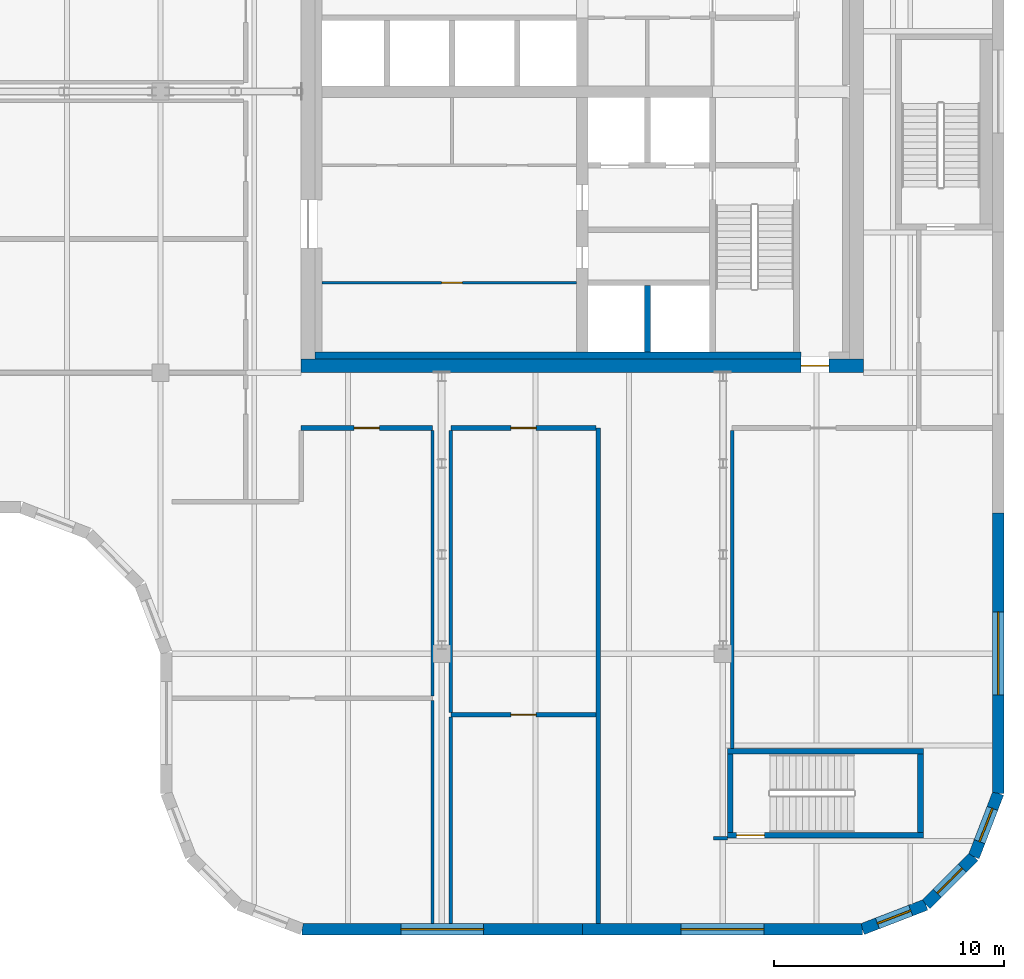
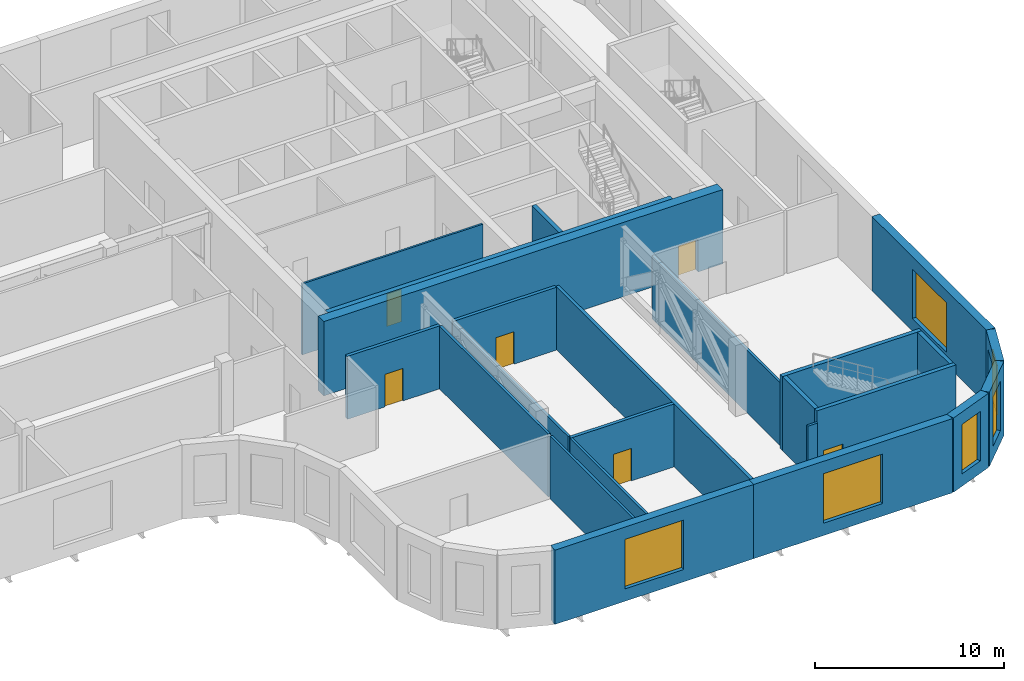
# One storey, part 6 of 12: 24 walls, 6 doors, 6 windows, 12 openings.
"""IFC4 building model written with IfcOpenShell, lengths in metres."""

import ifcopenshell
import ifcopenshell.guid

model = None  # the IFC model being written
_history = None  # IfcOwnerHistory: only IFC2X3 demands one
_inside = {}  # id of a spatial element -> (the spatial element, [elements in it])
_under = {}  # id of a project, library or spatial element -> (it, [spatial elements below it])
_declared = {}  # id of a project -> (the project, [libraries it declares])
_typed = {}  # id of a type object -> (the type object, [elements of that type])
_made_of = {}  # id of a material, layer set ... -> (it, [elements and type objects made of it])


def new_model(schema):
    """Start an empty IFC model of exactly this schema.

    Asked for "IFC4X3", IfcOpenShell would pick the latest addendum, in which some entities
    have other attributes; the version numbers below select the first issue.
    IFC2X3 requires an IfcOwnerHistory on every rooted entity: one is made here for all.
    """
    global model, _history
    if schema == "IFC4X3":
        model = ifcopenshell.file(schema_version=(4, 3, 0, 0))
    else:
        model = ifcopenshell.file(schema=schema)
    _inside.clear()
    _under.clear()
    _declared.clear()
    _typed.clear()
    _made_of.clear()
    _history = None
    if model.schema == "IFC2X3":
        org = make("IfcOrganization", Name="unknown")
        user = make(
            "IfcPersonAndOrganization",
            ThePerson=make("IfcPerson", FamilyName="unknown"),
            TheOrganization=org,
        )
        app = make(
            "IfcApplication",
            ApplicationDeveloper=org,
            Version="unknown",
            ApplicationFullName="unknown",
            ApplicationIdentifier="unknown",
        )
        _history = make(
            "IfcOwnerHistory",
            OwningUser=user,
            OwningApplication=app,
            ChangeAction="ADDED",
            CreationDate=0,
        )
    return model


def make(cls, **values):
    """One entity of the class cls with the attributes given. An attribute that is None is left unset."""
    return model.create_entity(
        cls, **{name: value for name, value in values.items() if value is not None}
    )


def rooted(cls, **values):
    """An entity with a GlobalId (a new one), such as an element, a storey or a relation."""
    return make(cls, GlobalId=ifcopenshell.guid.new(), OwnerHistory=_history, **values)


def si_unit(unit_type, name, prefix=None):
    """IfcSIUnit, for example si_unit("LENGTHUNIT", "METRE", prefix="MILLI")."""
    return make("IfcSIUnit", UnitType=unit_type, Prefix=prefix, Name=name)


def assignment(units):
    """IfcUnitAssignment: the units of a project."""
    return None if units is None else make("IfcUnitAssignment", Units=units)


def point(xyz):
    """IfcCartesianPoint."""
    return None if xyz is None else make("IfcCartesianPoint", Coordinates=xyz)


def direction(xyz):
    """IfcDirection."""
    return None if xyz is None else make("IfcDirection", DirectionRatios=xyz)


def frame(location, z_axis=None, x_axis=None):
    """IfcAxis2Placement3D, a coordinate frame: its origin and axes. An axis left out is left unset."""
    return make(
        "IfcAxis2Placement3D",
        Location=point(location),
        Axis=direction(z_axis),
        RefDirection=direction(x_axis),
    )


def frame_2d(location, x_axis=None):
    """IfcAxis2Placement2D, a coordinate frame in the plane: its origin and x axis."""
    return make(
        "IfcAxis2Placement2D", Location=point(location), RefDirection=direction(x_axis)
    )


def origin():
    """The frame at (0, 0, 0) with its axes left unset."""
    return frame((0.0, 0.0, 0.0))


def place(relative_to, where):
    """IfcLocalPlacement: puts the frame where relative to a parent placement (None: the world)."""
    return make(
        "IfcLocalPlacement", PlacementRelTo=relative_to, RelativePlacement=where
    )


def context(
    kind, dimensions, precision=None, world=None, true_north=None, identifier=None
):
    """IfcGeometricRepresentationContext, for example the 3D "Model" context."""
    return make(
        "IfcGeometricRepresentationContext",
        ContextIdentifier=identifier,
        ContextType=kind,
        CoordinateSpaceDimension=dimensions,
        Precision=precision,
        WorldCoordinateSystem=world,
        TrueNorth=true_north,
    )


def subcontext(parent, identifier, kind, view, scale=None):
    """IfcGeometricRepresentationSubContext, for example "Body" below "Model"."""
    return make(
        "IfcGeometricRepresentationSubContext",
        ContextIdentifier=identifier,
        ContextType=kind,
        ParentContext=parent,
        TargetScale=scale,
        TargetView=view,
    )


def project(units=None, contexts=None):
    """IfcProject with its units and contexts."""
    return rooted(
        "IfcProject",
        Name="project",
        RepresentationContexts=contexts,
        UnitsInContext=assignment(units),
    )


def spatial(cls, under=None, at=None, **own):
    """A site, building, storey or space (cls), placed at a placement, below another one or the project."""
    s = rooted(cls, ObjectPlacement=at, **own)
    if under is not None:
        _under.setdefault(under.id(), (under, []))[1].append(s)
    return s


def polyline(points):
    """IfcPolyline through the points."""
    return make("IfcPolyline", Points=[point(p) for p in points])


def profile(cls, at=None, kind="AREA", **sizes):
    """A parametric profile (cls). Its sizes go by their IFC names, for example OverallWidth=200.0."""
    return make(cls, ProfileType=kind, Position=at, **sizes)


def rectangle(**sizes):
    """IfcRectangleProfileDef."""
    return profile("IfcRectangleProfileDef", **sizes)


def outline(outer, holes=None, kind="AREA"):
    """IfcArbitraryClosedProfileDef: a profile drawn as a closed curve; with holes, ...WithVoids."""
    if holes is None:
        return make("IfcArbitraryClosedProfileDef", ProfileType=kind, OuterCurve=outer)
    return make(
        "IfcArbitraryProfileDefWithVoids",
        ProfileType=kind,
        OuterCurve=outer,
        InnerCurves=holes,
    )


def extrude(swept, where, along, depth):
    """IfcExtrudedAreaSolid: the profile swept, set in the frame where, extruded along a direction by depth."""
    return make(
        "IfcExtrudedAreaSolid",
        SweptArea=swept,
        Position=where,
        ExtrudedDirection=direction(along),
        Depth=depth,
    )


def faces_of(points, faces, orient=None, outer=None):
    """IfcFace entities. A face is a list of loops; a loop is a list of indices into points, from 0.

    orient and outer hold one flag for each loop. By default every Orientation is true, the
    first loop of a face is its IfcFaceOuterBound and the others are IfcFaceBound.
    """
    made = []
    for i, loops in enumerate(faces):
        bounds = []
        for j, loop in enumerate(loops):
            is_outer = j == 0 if outer is None else outer[i][j]
            bounds.append(
                make(
                    "IfcFaceOuterBound" if is_outer else "IfcFaceBound",
                    Bound=make("IfcPolyLoop", Polygon=[points[k] for k in loop]),
                    Orientation=True if orient is None else orient[i][j],
                )
            )
        made.append(make("IfcFace", Bounds=bounds))
    return made


def faceted_brep(points, faces, orient=None, outer=None, voids=None):
    """IfcFacetedBrep: a solid bounded by flat faces; with voids (closed shells), ...WithVoids."""
    shared = [point(p) for p in points]
    hull = make("IfcClosedShell", CfsFaces=faces_of(shared, faces, orient, outer))
    if voids is None:
        return make("IfcFacetedBrep", Outer=hull)
    return make(
        "IfcFacetedBrepWithVoids",
        Outer=hull,
        Voids=[
            make(cls, CfsFaces=faces_of(shared, fs, o, b)) for cls, fs, o, b in voids
        ],
    )


def shape(context_of_items, identifier, shape_type, items):
    """IfcShapeRepresentation: the items that make up one representation, for example the "Body"."""
    return make(
        "IfcShapeRepresentation",
        ContextOfItems=context_of_items,
        RepresentationIdentifier=identifier,
        RepresentationType=shape_type,
        Items=items,
    )


def source(mapping_origin, context_of_items, identifier, shape_type, items):
    """IfcRepresentationMap: a shape defined once, which mapped items show again and again."""
    return make(
        "IfcRepresentationMap",
        MappingOrigin=mapping_origin,
        MappedRepresentation=shape(context_of_items, identifier, shape_type, items),
    )


def transform(
    local_origin,
    x_axis=None,
    y_axis=None,
    z_axis=None,
    scale=None,
    scale2=None,
    scale3=None,
    uniform=True,
):
    """IfcCartesianTransformationOperator3D, or its non-uniform kind. x_axis, y_axis, z_axis: its Axis1, 2, 3."""
    if uniform:
        return make(
            "IfcCartesianTransformationOperator3D",
            Axis1=direction(x_axis),
            Axis2=direction(y_axis),
            LocalOrigin=point(local_origin),
            Scale=scale,
            Axis3=direction(z_axis),
        )
    return make(
        "IfcCartesianTransformationOperator3DnonUniform",
        Axis1=direction(x_axis),
        Axis2=direction(y_axis),
        LocalOrigin=point(local_origin),
        Scale=scale,
        Axis3=direction(z_axis),
        Scale2=scale2,
        Scale3=scale3,
    )


def mapped(mapping_source, mapping_target):
    """IfcMappedItem: shows the shape of a source again, moved by a transform."""
    return make(
        "IfcMappedItem", MappingSource=mapping_source, MappingTarget=mapping_target
    )


def material(Name=None, Category=None):
    """IfcMaterial."""
    return make("IfcMaterial", Name=Name, Category=Category)


def layer(
    of_material, thickness, ventilated=None, Name=None, Category=None, Priority=None
):
    """IfcMaterialLayer: one layer of a wall or slab, of a material (None: an air gap)."""
    return make(
        "IfcMaterialLayer",
        Material=of_material,
        LayerThickness=thickness,
        IsVentilated=ventilated,
        Name=Name,
        Category=Category,
        Priority=Priority,
    )


def layer_set(layers, Name=None):
    """IfcMaterialLayerSet."""
    return make("IfcMaterialLayerSet", MaterialLayers=layers, LayerSetName=Name)


def made_of(thing, what):
    """Note that an element or type object is made of a material, layer set ...; save() writes the relation."""
    if what is not None:
        _made_of.setdefault(what.id(), (what, []))[1].append(thing)
    return thing


def type_object(cls, material=None, **own):
    """A type object (cls), such as IfcWallType, which elements share."""
    return made_of(rooted(cls, **own), material)


def element(
    cls,
    number,
    at=None,
    inside=None,
    cuts=None,
    type_object=None,
    material=None,
    context=None,
    identifier="Body",
    shape_type=None,
    held_by="IfcProductDefinitionShape",
    body=None,
    shapes=None,
    **own,
):
    """One element of the class cls, such as IfcWall. Its Tag is "e" and its number.

    at: its placement. inside: the storey or other place that contains it. cuts: it is an
    opening in that element (IfcRelVoidsElement). A single representation is given by context,
    identifier, shape_type and body (its items); several are given by shapes. held_by: the class
    of the entity that holds the representations. save() writes the other relations.
    """
    e = rooted(cls, Tag="e%d" % number, ObjectPlacement=at, **own)
    if body is not None:
        shapes = [shape(context, identifier, shape_type, body)]
    if shapes is not None:
        e.Representation = make(held_by, Representations=shapes)
    if inside is not None:
        _inside.setdefault(inside.id(), (inside, []))[1].append(e)
    if cuts is not None:
        rooted(
            "IfcRelVoidsElement", RelatingBuildingElement=cuts, RelatedOpeningElement=e
        )
    if type_object is not None:
        _typed.setdefault(type_object.id(), (type_object, []))[1].append(e)
    return made_of(e, material)


def fill(opening, filler):
    """IfcRelFillsElement: the door or window that sits in an opening."""
    return rooted(
        "IfcRelFillsElement",
        RelatingOpeningElement=opening,
        RelatedBuildingElement=filler,
    )


def aggregate(whole, parts):
    """IfcRelAggregates: a whole, such as a stair, and the parts it consists of."""
    return rooted("IfcRelAggregates", RelatingObject=whole, RelatedObjects=parts)


def save(model, path):
    """Write the relations noted so far, then the file.

    IfcRelAggregates (storeys below a building ...), IfcRelContainedInSpatialStructure (elements
    in a storey), IfcRelDefinesByType, IfcRelAssociatesMaterial and IfcRelDeclares: one each for
    every whole, place, type object, material and project.
    """
    for whole, parts in _under.values():
        aggregate(whole, parts)
    for where, things in _inside.values():
        rooted(
            "IfcRelContainedInSpatialStructure",
            RelatedElements=things,
            RelatingStructure=where,
        )
    for kind, things in _typed.values():
        rooted("IfcRelDefinesByType", RelatedObjects=things, RelatingType=kind)
    for what, things in _made_of.values():
        rooted("IfcRelAssociatesMaterial", RelatedObjects=things, RelatingMaterial=what)
    for by, libraries in _declared.values():
        rooted("IfcRelDeclares", RelatingContext=by, RelatedDefinitions=libraries)
    model.write(path)


model = new_model("IFC4")

# Units and contexts
model_context = context("Model", 3, precision=1e-05, world=origin(), true_north=direction((0.0, 1.0)))
body_context = subcontext(model_context, "Body", "Model", "MODEL_VIEW")
ifc_project = project(units=[si_unit("LENGTHUNIT", "METRE"), si_unit("AREAUNIT", "SQUARE_METRE"), si_unit("VOLUMEUNIT", "CUBIC_METRE"), si_unit("PLANEANGLEUNIT", "RADIAN"), si_unit("MASSUNIT", "GRAM", prefix="KILO")], contexts=[model_context])

# Site, building, storey
site_placement = place(None, origin())
site = spatial("IfcSite", under=ifc_project, at=site_placement, CompositionType="ELEMENT")
building_placement = place(site_placement, origin())
building = spatial("IfcBuilding", under=site, at=building_placement, Name="Tessera Gate Towers", CompositionType="ELEMENT")
storey_placement = place(building_placement, frame((0.0, 0.0, 150.60009765625)))
storey = spatial("IfcBuildingStorey", under=building, at=storey_placement, Name="L37", CompositionType="ELEMENT", Elevation=150.60009765625)

# Walls
ifc_material_1 = material(Name="Gypsum board on steel studs, mineral wool", Category="steel")
ifc_layer_1 = layer(ifc_material_1, 0.14990234375)
ifc_layer_set_1 = layer_set([ifc_layer_1], Name="CHASE WALL 150")
wall_type_1 = type_object("IfcWallType", Name="CHASE WALL 150", PredefinedType="PARTITIONING", material=ifc_layer_set_1)
wall_1_placement = place(storey_placement, frame((36.199951171875, 0.5, 0.0), z_axis=(0.0, 0.0, 1.0), x_axis=(0.0, 1.0, 0.0)))
element("IfcWall", 1, at=wall_1_placement, inside=storey, type_object=wall_type_1, Name="T1-L37-PW-001", PredefinedType="PARTITIONING", context=body_context, shape_type="SweptSolid", body=[
    extrude(rectangle(XDim=9.674072265625, YDim=0.14990234375, at=frame_2d((4.8369140625, 0.0))), origin(), (0.0, 0.0, 1.0), 4.06689453125),
])
wall_2_placement = place(storey_placement, frame((37.0, 0.5, 0.0), z_axis=(0.0, 0.0, 1.0), x_axis=(0.0, 1.0, 0.0)))
element("IfcWall", 2, at=wall_2_placement, inside=storey, type_object=wall_type_1, Name="T1-L37-PW-002", PredefinedType="PARTITIONING", context=body_context, shape_type="SweptSolid", body=[
    extrude(rectangle(XDim=8.948974609375, YDim=0.14990234375, at=frame_2d((4.474609375, 0.0))), origin(), (0.0, 0.0, 1.0), 4.06689453125),
])
wall_3_placement = place(storey_placement, frame((48.39990234375, 4.199951171875, 0.0), z_axis=(0.0, 0.0, 1.0), x_axis=(1.0, 0.0, 0.0)))
element("IfcWall", 3, at=wall_3_placement, inside=storey, type_object=wall_type_1, Name="T1-L37-PW-004", PredefinedType="PARTITIONING", context=body_context, shape_type="SweptSolid", body=[
    extrude(rectangle(XDim=0.60009765625, YDim=0.14990234375, at=frame_2d((0.300048828125, 0.0))), origin(), (0.0, 0.0, 1.0), 4.06689453125),
])
wall_4_placement = place(storey_placement, frame((49.199951171875, 8.10009765625, 0.0), z_axis=(0.0, 0.0, 1.0), x_axis=(0.0, 1.0, 0.0)))
element("IfcWall", 4, at=wall_4_placement, inside=storey, type_object=wall_type_1, Name="T1-L37-PW-005", PredefinedType="PARTITIONING", context=body_context, shape_type="SweptSolid", body=[
    extrude(rectangle(XDim=13.798828125, YDim=0.14990234375, at=frame_2d((6.8994140625, 0.0))), origin(), (0.0, 0.0, 1.0), 4.06689453125),
])
wall_5_placement = place(storey_placement, frame((37.0, 9.65087890625, 0.0), z_axis=(0.0, 0.0, 1.0), x_axis=(0.0, 1.0, 0.0)))
element("IfcWall", 5, at=wall_5_placement, inside=storey, type_object=wall_type_1, Name="T1-L37-PW-007", PredefinedType="PARTITIONING", context=body_context, shape_type="SweptSolid", body=[
    extrude(rectangle(XDim=12.248046875, YDim=0.14990234375, at=frame_2d((6.1240234375, 0.0))), origin(), (0.0, 0.0, 1.0), 4.06689453125),
])
wall_6_placement = place(storey_placement, frame((36.199951171875, 10.3759765625, 0.0), z_axis=(0.0, 0.0, 1.0), x_axis=(0.0, 1.0, 0.0)))
element("IfcWall", 6, at=wall_6_placement, inside=storey, type_object=wall_type_1, Name="T1-L37-PW-009", PredefinedType="PARTITIONING", context=body_context, shape_type="SweptSolid", body=[
    extrude(rectangle(XDim=11.52294921875, YDim=0.14990234375, at=frame_2d((5.761474609375, 0.0))), origin(), (0.0, 0.0, 1.0), 4.06689453125),
])
ifc_material_2 = material(Name="Concrete C40/50", Category="concrete")
ifc_layer_2 = layer(ifc_material_2, 0.25)
ifc_layer_set_2 = layer_set([ifc_layer_2], Name="CORE ENCLOSURE WALL 250")
wall_type_2 = type_object("IfcWallType", Name="CORE ENCLOSURE WALL 250", PredefinedType="SOLIDWALL", material=ifc_layer_set_2)
wall_7_placement = place(storey_placement, frame((45.52490234375, 25.300048828125, 0.0), z_axis=(0.0, 0.0, 1.0), x_axis=(0.0, 1.0, 0.0)))
element("IfcWall", 7, at=wall_7_placement, inside=storey, type_object=wall_type_2, Name="L37 shaft and stair enclosure wall", PredefinedType="SOLIDWALL", context=body_context, shape_type="SweptSolid", body=[
    extrude(rectangle(XDim=2.875, YDim=0.25, at=frame_2d((1.4375, 0.0))), origin(), (0.0, 0.0, 1.0), 4.7998046875),
])

# Wall, opening, door
wall_8_placement = place(storey_placement, frame((57.5, 4.324951171875, 0.0), z_axis=(0.0, 0.0, 1.0), x_axis=(-1.0, 0.0, 0.0)))
wall_8 = element("IfcWall", 8, at=wall_8_placement, inside=storey, type_object=wall_type_2, Name="L37 ST4 enclosure wall", PredefinedType="SOLIDWALL", context=body_context, shape_type="SweptSolid", body=[
    extrude(rectangle(XDim=8.5, YDim=0.25, at=frame_2d((4.25, 0.0))), origin(), (0.0, 0.0, 1.0), 4.7998046875),
])
shared_shape_1 = source(origin(), body_context, "Body", "SweptSolid", [
    extrude(rectangle(XDim=1.199951171875, YDim=2.10009765625, at=frame_2d((0.60009765625, 1.050048828125))), frame((0.0, 0.135009765625, 0.0), z_axis=(0.0, -1.0, 0.0), x_axis=(1.0, 0.0, 0.0)), (0.0, 0.0, 1.0), 0.27001953125),
])
opening_1_placement = place(wall_8_placement, frame((6.89990234375, 0.0, 0.0)))
opening_1 = element("IfcOpeningElement", 9, at=opening_1_placement, cuts=wall_8, Name="Opening SD-ST4-1", PredefinedType="OPENING", context=body_context, shape_type="MappedRepresentation", body=[
    mapped(shared_shape_1, transform((0.0, 0.0, 0.0), scale=1.0)),
])
ifc_material_3 = material(Name="Hollow steel fire door", Category="steel")
door_type_1 = type_object("IfcDoorType", Name="CORE DOOR SD 1200x2100", OperationType="NOTDEFINED", PredefinedType="DOOR", material=ifc_material_3)
shared_shape_2 = source(origin(), body_context, "Body", "SweptSolid", [
    extrude(rectangle(XDim=1.199951171875, YDim=2.10009765625, at=frame_2d((0.60009765625, 1.050048828125))), frame((0.0, 0.02490234375, 0.0), z_axis=(0.0, -1.0, 0.0), x_axis=(1.0, 0.0, 0.0)), (0.0, 0.0, 1.0), 0.050048828125),
])
door_1_placement = place(opening_1_placement, origin())
door_1 = element("IfcDoor", 10, at=door_1_placement, inside=storey, type_object=door_type_1, Name="Stair door", OperationType="SINGLE_SWING_RIGHT", OverallHeight=2.10009765625, OverallWidth=1.199951171875, PredefinedType="DOOR", context=body_context, shape_type="MappedRepresentation", body=[
    mapped(shared_shape_2, transform((0.0, 0.0, 0.0), scale=1.0)),
])
fill(opening_1, door_1)

# Walls
wall_9_placement = place(storey_placement, frame((49.125, 4.449951171875, 0.0), z_axis=(0.0, 0.0, 1.0), x_axis=(0.0, 1.0, 0.0)))
element("IfcWall", 11, at=wall_9_placement, inside=storey, type_object=wall_type_2, Name="L37 ST4 enclosure wall", PredefinedType="SOLIDWALL", context=body_context, shape_type="SweptSolid", body=[
    extrude(rectangle(XDim=3.400146484375, YDim=0.25, at=frame_2d((1.7001953125, 0.0))), origin(), (0.0, 0.0, 1.0), 4.7998046875),
])
wall_10_placement = place(storey_placement, frame((49.0, 7.97509765625, 0.0), z_axis=(0.0, 0.0, 1.0), x_axis=(1.0, 0.0, 0.0)))
element("IfcWall", 12, at=wall_10_placement, inside=storey, type_object=wall_type_2, Name="L37 ST4 enclosure wall", PredefinedType="SOLIDWALL", context=body_context, shape_type="SweptSolid", body=[
    extrude(rectangle(XDim=8.5, YDim=0.25, at=frame_2d((4.25, 0.0))), origin(), (0.0, 0.0, 1.0), 4.7998046875),
])
wall_11_placement = place(storey_placement, frame((57.375, 7.85009765625, 0.0), z_axis=(0.0, 0.0, 1.0), x_axis=(0.0, -1.0, 0.0)))
element("IfcWall", 13, at=wall_11_placement, inside=storey, type_object=wall_type_2, Name="L37 ST4 enclosure wall", PredefinedType="SOLIDWALL", context=body_context, shape_type="SweptSolid", body=[
    extrude(rectangle(XDim=3.400146484375, YDim=0.25, at=frame_2d((1.7001953125, 0.0))), origin(), (0.0, 0.0, 1.0), 4.7998046875),
])

# Wall, opening, door
ifc_material_4 = material(Name="Gypsum board on steel studs", Category="steel")
ifc_layer_3 = layer(ifc_material_4, 0.1201171875)
ifc_layer_set_3 = layer_set([ifc_layer_3], Name="CORE PARTITION 120")
wall_type_3 = type_object("IfcWallType", Name="CORE PARTITION 120", PredefinedType="PARTITIONING", material=ifc_layer_set_3)
wall_12_placement = place(storey_placement, frame((42.449951171875, 28.300048828125, 0.0), z_axis=(0.0, 0.0, 1.0), x_axis=(-1.0, 0.0, 0.0)))
wall_12 = element("IfcWall", 14, at=wall_12_placement, inside=storey, type_object=wall_type_3, Name="L37 core partition", PredefinedType="PARTITIONING", context=body_context, shape_type="SweptSolid", body=[
    extrude(rectangle(XDim=11.050048828125, YDim=0.1201171875, at=frame_2d((5.52490234375, 0.0))), origin(), (0.0, 0.0, 1.0), 4.599853515625),
])
shared_shape_3 = source(origin(), body_context, "Body", "SweptSolid", [
    extrude(rectangle(XDim=0.89990234375, YDim=2.10009765625, at=frame_2d((0.449951171875, 1.050048828125))), frame((0.0, 0.070068359375, 0.0), z_axis=(0.0, -1.0, 0.0), x_axis=(1.0, 0.0, 0.0)), (0.0, 0.0, 1.0), 0.14013671875),
])
opening_2_placement = place(wall_12_placement, frame((4.949951171875, 0.0, 0.0)))
opening_2 = element("IfcOpeningElement", 15, at=opening_2_placement, cuts=wall_12, Name="Opening RD-T1-24-07", PredefinedType="OPENING", context=body_context, shape_type="MappedRepresentation", body=[
    mapped(shared_shape_3, transform((0.0, 0.0, 0.0), scale=1.0)),
])
ifc_material_5 = material(Name="Hollow steel fire door", Category="steel")
door_type_2 = type_object("IfcDoorType", Name="CORE DOOR RD 900x2100", OperationType="NOTDEFINED", PredefinedType="DOOR", material=ifc_material_5)
shared_shape_4 = source(origin(), body_context, "Body", "SweptSolid", [
    extrude(rectangle(XDim=0.89990234375, YDim=2.10009765625, at=frame_2d((0.449951171875, 1.050048828125))), frame((0.0, 0.02490234375, 0.0), z_axis=(0.0, -1.0, 0.0), x_axis=(1.0, 0.0, 0.0)), (0.0, 0.0, 1.0), 0.050048828125),
])
door_2_placement = place(opening_2_placement, origin())
door_2 = element("IfcDoor", 16, at=door_2_placement, inside=storey, type_object=door_type_2, Name="Core room door", OperationType="SINGLE_SWING_LEFT", OverallHeight=2.10009765625, OverallWidth=0.89990234375, PredefinedType="DOOR", context=body_context, shape_type="MappedRepresentation", body=[
    mapped(shared_shape_4, transform((0.0, 0.0, 0.0), scale=1.0)),
])
fill(opening_2, door_2)

ifc_material_6 = material(Name="Concrete C50/60", Category="concrete")
ifc_layer_4 = layer(ifc_material_6, 0.60009765625)
ifc_layer_set_4 = layer_set([ifc_layer_4], Name="CORE SHEAR WALL 600 C50/60")
wall_type_4 = type_object("IfcWallType", Name="CORE SHEAR WALL 600 C50/60", PredefinedType="SHEAR", material=ifc_layer_set_4)
wall_13_placement = place(storey_placement, frame((54.89990234375, 24.699951171875, 0.0), z_axis=(0.0, 0.0, 1.0), x_axis=(-1.0, 0.0, 0.0)))
wall_13 = element("IfcWall", 17, at=wall_13_placement, inside=storey, type_object=wall_type_4, Name="Core wall S L37", PredefinedType="SHEAR", context=body_context, shape_type="SweptSolid", body=[
    extrude(rectangle(XDim=24.39990234375, YDim=0.60009765625, at=frame_2d((12.199951171875, 0.0))), origin(), (0.0, 0.0, 1.0), 4.7998046875),
])
shared_shape_5 = source(origin(), body_context, "Body", "SweptSolid", [
    extrude(rectangle(XDim=1.199951171875, YDim=2.10009765625, at=frame_2d((0.60009765625, 1.050048828125))), frame((0.0, 0.31005859375, 0.0), z_axis=(0.0, -1.0, 0.0), x_axis=(1.0, 0.0, 0.0)), (0.0, 0.0, 1.0), 0.6201171875),
])
opening_3_placement = place(wall_13_placement, frame((1.5, 0.0, 0.0)))
opening_3 = element("IfcOpeningElement", 18, at=opening_3_placement, cuts=wall_13, Name="Opening ED-T1-24-01", PredefinedType="OPENING", context=body_context, shape_type="MappedRepresentation", body=[
    mapped(shared_shape_5, transform((0.0, 0.0, 0.0), scale=1.0)),
])
ifc_material_7 = material(Name="Hollow steel fire door", Category="steel")
door_type_3 = type_object("IfcDoorType", Name="CORE DOOR ED 1200x2100", OperationType="NOTDEFINED", PredefinedType="DOOR", material=ifc_material_7)
door_3_placement = place(opening_3_placement, origin())
door_3 = element("IfcDoor", 19, at=door_3_placement, inside=storey, type_object=door_type_3, Name="Core exit door", OperationType="SINGLE_SWING_LEFT", OverallHeight=2.10009765625, OverallWidth=1.199951171875, PredefinedType="DOOR", context=body_context, shape_type="MappedRepresentation", body=[
    mapped(shared_shape_2, transform((0.0, 0.0, 0.0), scale=1.0)),
])
fill(opening_3, door_3)

# Walls
ifc_material_8 = material(Name="Concrete C50/60", Category="concrete")
ifc_layer_5 = layer(ifc_material_8, 0.300048828125)
ifc_layer_set_5 = layer_set([ifc_layer_5], Name="CORE WALL THICKENING 300")
wall_type_5 = type_object("IfcWallType", Name="CORE WALL THICKENING 300", PredefinedType="SOLIDWALL", material=ifc_layer_set_5)
wall_14_placement = place(storey_placement, frame((31.10009765625, 25.14990234375, 0.0), z_axis=(0.0, 0.0, 1.0), x_axis=(1.0, 0.0, 0.0)))
element("IfcWall", 20, at=wall_14_placement, inside=storey, type_object=wall_type_5, Name="Core wall thickening S L37", PredefinedType="SOLIDWALL", context=body_context, shape_type="SweptSolid", body=[
    extrude(rectangle(XDim=21.099853515625, YDim=0.300048828125, at=frame_2d((10.5498046875, 0.0))), origin(), (0.0, 0.0, 1.0), 4.7998046875),
])
ifc_material_9 = material(Name="Concrete masonry unit", Category="masonry")
ifc_layer_6 = layer(ifc_material_9, 0.199951171875)
ifc_layer_set_6 = layer_set([ifc_layer_6], Name="PLANT WALL 200")
wall_type_6 = type_object("IfcWallType", Name="PLANT WALL 200", PredefinedType="PARTITIONING", material=ifc_layer_set_6)
wall_15_placement = place(storey_placement, frame((43.39990234375, 0.5, 0.0), z_axis=(0.0, 0.0, 1.0), x_axis=(0.0, 1.0, 0.0)))
element("IfcWall", 21, at=wall_15_placement, inside=storey, type_object=wall_type_6, Name="T1-L37-PW-003", PredefinedType="PARTITIONING", context=body_context, shape_type="SweptSolid", body=[
    extrude(rectangle(XDim=21.5, YDim=0.199951171875, at=frame_2d((10.75, 0.0))), origin(), (0.0, 0.0, 1.0), 4.06689453125),
])

# Wall, opening, door
wall_16_placement = place(storey_placement, frame((43.299072265625, 9.550048828125, 0.0), z_axis=(0.0, 0.0, 1.0), x_axis=(-1.0, 0.0, 0.0)))
wall_16 = element("IfcWall", 22, at=wall_16_placement, inside=storey, type_object=wall_type_6, Name="T1-L37-PW-006", PredefinedType="PARTITIONING", context=body_context, shape_type="SweptSolid", body=[
    extrude(rectangle(XDim=6.299072265625, YDim=0.199951171875, at=frame_2d((3.1494140625, 0.0))), origin(), (0.0, 0.0, 1.0), 4.06689453125),
])
shared_shape_6 = source(origin(), body_context, "Body", "SweptSolid", [
    extrude(rectangle(XDim=1.10009765625, YDim=2.10009765625, at=frame_2d((0.550048828125, 1.050048828125))), frame((0.0, 0.10986328125, 0.0), z_axis=(0.0, -1.0, 0.0), x_axis=(1.0, 0.0, 0.0)), (0.0, 0.0, 1.0), 0.219970703125),
])
opening_4_placement = place(wall_16_placement, frame((2.59912109375, 0.0, 0.0)))
opening_4 = element("IfcOpeningElement", 23, at=opening_4_placement, cuts=wall_16, Name="Opening D5110FD90-A31-14", PredefinedType="OPENING", context=body_context, shape_type="MappedRepresentation", body=[
    mapped(shared_shape_6, transform((0.0, 0.0, 0.0), scale=1.0)),
])
ifc_material_10 = material(Name="Timber door leaf in steel frame", Category="steel")
door_type_4 = type_object("IfcDoorType", Name="PLANT DOOR 1100 FD90", OperationType="NOTDEFINED", PredefinedType="DOOR", material=ifc_material_10)
shared_shape_7 = source(origin(), body_context, "Body", "SweptSolid", [
    extrude(rectangle(XDim=1.10009765625, YDim=2.10009765625, at=frame_2d((0.550048828125, 1.050048828125))), frame((0.0, 0.02490234375, 0.0), z_axis=(0.0, -1.0, 0.0), x_axis=(1.0, 0.0, 0.0)), (0.0, 0.0, 1.0), 0.050048828125),
])
door_4_placement = place(opening_4_placement, origin())
door_4 = element("IfcDoor", 24, at=door_4_placement, inside=storey, type_object=door_type_4, Name="T1-L37-PD-014", OperationType="SINGLE_SWING_RIGHT", OverallHeight=2.10009765625, OverallWidth=1.10009765625, PredefinedType="DOOR", context=body_context, shape_type="MappedRepresentation", body=[
    mapped(shared_shape_7, transform((0.0, 0.0, 0.0), scale=1.0)),
])
fill(opening_4, door_4)

wall_17_placement = place(storey_placement, frame((36.199951171875, 22.0, 0.0), z_axis=(0.0, 0.0, 1.0), x_axis=(-1.0, 0.0, 0.0)))
wall_17 = element("IfcWall", 25, at=wall_17_placement, inside=storey, type_object=wall_type_6, Name="T1-L37-PW-014", PredefinedType="PARTITIONING", context=body_context, shape_type="SweptSolid", body=[
    extrude(rectangle(XDim=5.699951171875, YDim=0.199951171875, at=frame_2d((2.85009765625, 0.0))), origin(), (0.0, 0.0, 1.0), 4.06689453125),
])
opening_5_placement = place(wall_17_placement, frame((2.300048828125, 0.0, 0.0)))
opening_5 = element("IfcOpeningElement", 26, at=opening_5_placement, cuts=wall_17, Name="Opening D5110FD90-A31-06", PredefinedType="OPENING", context=body_context, shape_type="MappedRepresentation", body=[
    mapped(shared_shape_6, transform((0.0, 0.0, 0.0), scale=1.0)),
])
door_5_placement = place(opening_5_placement, origin())
door_5 = element("IfcDoor", 27, at=door_5_placement, inside=storey, type_object=door_type_4, Name="T1-L37-PD-006", OperationType="SINGLE_SWING_RIGHT", OverallHeight=2.10009765625, OverallWidth=1.10009765625, PredefinedType="DOOR", context=body_context, shape_type="MappedRepresentation", body=[
    mapped(shared_shape_7, transform((0.0, 0.0, 0.0), scale=1.0)),
])
fill(opening_5, door_5)

wall_18_placement = place(storey_placement, frame((43.299072265625, 22.0, 0.0), z_axis=(0.0, 0.0, 1.0), x_axis=(-1.0, 0.0, 0.0)))
wall_18 = element("IfcWall", 28, at=wall_18_placement, inside=storey, type_object=wall_type_6, Name="T1-L37-PW-015", PredefinedType="PARTITIONING", context=body_context, shape_type="SweptSolid", body=[
    extrude(rectangle(XDim=6.299072265625, YDim=0.199951171875, at=frame_2d((3.1494140625, 0.0))), origin(), (0.0, 0.0, 1.0), 4.06689453125),
])
opening_6_placement = place(wall_18_placement, frame((2.59912109375, 0.0, 0.0)))
opening_6 = element("IfcOpeningElement", 29, at=opening_6_placement, cuts=wall_18, Name="Opening D5110FD90-A31-13", PredefinedType="OPENING", context=body_context, shape_type="MappedRepresentation", body=[
    mapped(shared_shape_6, transform((0.0, 0.0, 0.0), scale=1.0)),
])
door_6_placement = place(opening_6_placement, origin())
door_6 = element("IfcDoor", 30, at=door_6_placement, inside=storey, type_object=door_type_4, Name="T1-L37-PD-013", OperationType="SINGLE_SWING_RIGHT", OverallHeight=2.10009765625, OverallWidth=1.10009765625, PredefinedType="DOOR", context=body_context, shape_type="MappedRepresentation", body=[
    mapped(shared_shape_7, transform((0.0, 0.0, 0.0), scale=1.0)),
])
fill(opening_6, door_6)

# Wall, opening, window
ifc_material_11 = material(Name="Precast concrete C60/75 white", Category="concrete")
ifc_layer_7 = layer(ifc_material_11, 0.5)
ifc_layer_set_7 = layer_set([ifc_layer_7], Name="RB1 ring band panel")
wall_type_7 = type_object("IfcWallType", Name="RB1 ring band panel", PredefinedType="SOLIDWALL", material=ifc_layer_set_7)
shared_shape_8 = source(origin(), body_context, "Body", "Brep", [
    faceted_brep([(0.0, -0.25, 0.0), (12.153564453125, -0.25, 0.0), (12.153564453125, -0.25, 4.7998046875), (0.0, -0.25, 4.7998046875), (0.046630859375, 0.25, 4.7998046875), (12.153564453125, 0.25, 4.7998046875), (12.153564453125, 0.25, 0.0), (0.046630859375, 0.25, 0.0), (0.0, 0.0, 0.0), (0.0, 0.0, 4.7998046875)], [[[0, 1, 2, 3]], [[4, 5, 6, 7]], [[7, 6, 1, 0, 8]], [[5, 4, 9, 3, 2]], [[8, 0, 3, 9]], [[7, 8, 9, 4]], [[1, 6, 5, 2]]]),
])
wall_19_placement = place(storey_placement, frame((30.546630859375, 0.25, 0.0), z_axis=(0.0, 0.0, 1.0), x_axis=(1.0, 0.0, 0.0)))
wall_19 = element("IfcWall", 31, at=wall_19_placement, inside=storey, type_object=wall_type_7, Name="Ring band panel T1 RB1-0033", PredefinedType="SOLIDWALL", context=body_context, shape_type="MappedRepresentation", body=[
    mapped(shared_shape_8, transform((0.0, 0.0, 0.0), scale=1.0)),
])
shared_shape_9 = source(origin(), body_context, "Body", "SweptSolid", [
    extrude(outline(polyline([(4.276611328125, 0.7998046875), (7.876708984375, 0.7998046875), (7.876708984375, 4.0), (4.276611328125, 4.0), (4.276611328125, 0.7998046875)])), frame((0.0, 0.260009765625, 0.0), z_axis=(0.0, -1.0, 0.0), x_axis=(1.0, 0.0, 0.0)), (0.0, 0.0, 1.0), 0.52001953125),
])
opening_7_placement = place(wall_19_placement, origin())
opening_7 = element("IfcOpeningElement", 32, at=opening_7_placement, cuts=wall_19, Name="Opening T1-WN-LV1-0033", PredefinedType="OPENING", context=body_context, shape_type="MappedRepresentation", body=[
    mapped(shared_shape_9, transform((0.0, 0.0, 0.0), scale=1.0)),
])
ifc_material_12 = material(Name="Aluminium louvre", Category="aluminium")
ifc_layer_8 = layer(ifc_material_12, 0.06005859375)
ifc_layer_set_8 = layer_set([ifc_layer_8], Name="LV1 louvre")
window_type = type_object("IfcWindowType", Name="LV1 louvre", PartitioningType="USERDEFINED", PredefinedType="WINDOW", material=ifc_layer_set_8)
shared_shape_10 = source(origin(), body_context, "Body", "SweptSolid", [
    extrude(outline(polyline([(4.276611328125, 0.7998046875), (7.876708984375, 0.7998046875), (7.876708984375, 4.0), (4.276611328125, 4.0), (4.276611328125, 0.7998046875)])), frame((0.0, 0.030029296875, 0.0), z_axis=(0.0, -1.0, 0.0), x_axis=(1.0, 0.0, 0.0)), (0.0, 0.0, 1.0), 0.06005859375),
])
window_1_placement = place(opening_7_placement, origin())
window_1 = element("IfcWindow", 33, at=window_1_placement, inside=storey, type_object=window_type, Name="Louvre T1 WN-LV1-0033", OverallHeight=3.2001953125, OverallWidth=3.60009765625, PartitioningType="USERDEFINED", PredefinedType="WINDOW", context=body_context, shape_type="MappedRepresentation", body=[
    mapped(shared_shape_10, transform((0.0, 0.0, 0.0), scale=1.0)),
])
fill(opening_7, window_1)

wall_20_placement = place(storey_placement, frame((60.75, 6.146484375, 0.0), z_axis=(0.0, 0.0, 1.0), x_axis=(0.0, 1.0, 0.0)))
wall_20 = element("IfcWall", 34, at=wall_20_placement, inside=storey, type_object=wall_type_7, Name="Ring band panel T1 RB1-0038", PredefinedType="SOLIDWALL", context=body_context, shape_type="MappedRepresentation", body=[
    mapped(shared_shape_8, transform((0.0, 0.0, 0.0), scale=1.0)),
])
opening_8_placement = place(wall_20_placement, origin())
opening_8 = element("IfcOpeningElement", 35, at=opening_8_placement, cuts=wall_20, Name="Opening T1-WN-LV1-0038", PredefinedType="OPENING", context=body_context, shape_type="MappedRepresentation", body=[
    mapped(shared_shape_9, transform((0.0, 0.0, 0.0), scale=1.0)),
])
window_2_placement = place(opening_8_placement, origin())
window_2 = element("IfcWindow", 36, at=window_2_placement, inside=storey, type_object=window_type, Name="Louvre T1 WN-LV1-0038", OverallHeight=3.2001953125, OverallWidth=3.60009765625, PartitioningType="USERDEFINED", PredefinedType="WINDOW", context=body_context, shape_type="MappedRepresentation", body=[
    mapped(shared_shape_10, transform((0.0, 0.0, 0.0), scale=1.0)),
])
fill(opening_8, window_2)

shared_shape_11 = source(origin(), body_context, "Body", "Brep", [
    faceted_brep([(0.0, -0.25, 0.0), (12.153564453125, -0.25, 0.0), (12.153564453125, -0.25, 4.7998046875), (0.0, -0.25, 4.7998046875), (0.0, 0.25, 4.7998046875), (12.10693359375, 0.25, 4.7998046875), (12.10693359375, 0.25, 0.0), (0.0, 0.25, 0.0), (12.153564453125, -0.00048828125, 0.0), (12.153564453125, -0.00048828125, 4.7998046875)], [[[0, 1, 2, 3]], [[4, 5, 6, 7]], [[7, 6, 8, 1, 0]], [[9, 2, 1, 8]], [[5, 4, 3, 2, 9]], [[4, 7, 0, 3]], [[8, 6, 5, 9]]]),
])
wall_21_placement = place(storey_placement, frame((42.699951171875, 0.25, 0.0), z_axis=(0.0, 0.0, 1.0), x_axis=(1.0, 0.0, 0.0)))
wall_21 = element("IfcWall", 37, at=wall_21_placement, inside=storey, type_object=wall_type_7, Name="Ring band panel T1 RB1-0034", PredefinedType="SOLIDWALL", context=body_context, shape_type="MappedRepresentation", body=[
    mapped(shared_shape_11, transform((0.0, 0.0, 0.0), scale=1.0)),
])
opening_9_placement = place(wall_21_placement, origin())
opening_9 = element("IfcOpeningElement", 38, at=opening_9_placement, cuts=wall_21, Name="Opening T1-WN-LV1-0034", PredefinedType="OPENING", context=body_context, shape_type="MappedRepresentation", body=[
    mapped(shared_shape_9, transform((0.0, 0.0, 0.0), scale=1.0)),
])
window_3_placement = place(opening_9_placement, origin())
window_3 = element("IfcWindow", 39, at=window_3_placement, inside=storey, type_object=window_type, Name="Louvre T1 WN-LV1-0034", OverallHeight=3.2001953125, OverallWidth=3.60009765625, PartitioningType="USERDEFINED", PredefinedType="WINDOW", context=body_context, shape_type="MappedRepresentation", body=[
    mapped(shared_shape_10, transform((0.0, 0.0, 0.0), scale=1.0)),
])
fill(opening_9, window_3)

shared_shape_12 = source(origin(), body_context, "Body", "Brep", [
    faceted_brep([(0.0, -0.25, 0.0), (2.950439453125, -0.25, 0.0), (2.950439453125, -0.25, 4.7998046875), (0.0, -0.25, 4.7998046875), (0.046630859375, 0.25, 4.7998046875), (2.897705078125, 0.25, 4.7998046875), (2.897705078125, 0.25, 0.0), (0.046630859375, 0.25, 0.0), (2.950439453125, 0.00048828125, 0.0), (0.0, 0.0, 0.0), (2.950439453125, 0.00048828125, 4.7998046875), (0.0, 0.0, 4.7998046875)], [[[0, 1, 2, 3]], [[4, 5, 6, 7]], [[7, 6, 8, 1, 0, 9]], [[10, 2, 1, 8]], [[5, 4, 11, 3, 2, 10]], [[9, 0, 3, 11]], [[7, 9, 11, 4]], [[8, 6, 5, 10]]]),
])
wall_22_placement = place(storey_placement, frame((54.853515625, 0.25, 0.0), z_axis=(0.0, 0.0, 1.0), x_axis=(0.932999673775, 0.359877213415, 0.0)))
wall_22 = element("IfcWall", 40, at=wall_22_placement, inside=storey, type_object=wall_type_7, Name="Ring band panel T1 RB1-0035", PredefinedType="SOLIDWALL", context=body_context, shape_type="MappedRepresentation", body=[
    mapped(shared_shape_12, transform((0.0, 0.0, 0.0), scale=1.0)),
])
shared_shape_13 = source(origin(), body_context, "Body", "SweptSolid", [
    extrude(outline(polyline([(0.699951171875, 0.7998046875), (2.25048828125, 0.7998046875), (2.25048828125, 4.0), (0.699951171875, 4.0), (0.699951171875, 0.7998046875)])), frame((0.0, 0.260009765625, 0.0), z_axis=(0.0, -1.0, 0.0), x_axis=(1.0, 0.0, 0.0)), (0.0, 0.0, 1.0), 0.52001953125),
])
opening_10_placement = place(wall_22_placement, origin())
opening_10 = element("IfcOpeningElement", 41, at=opening_10_placement, cuts=wall_22, Name="Opening T1-WN-LV1-0035", PredefinedType="OPENING", context=body_context, shape_type="MappedRepresentation", body=[
    mapped(shared_shape_13, transform((0.0, 0.0, 0.0), scale=1.0)),
])
shared_shape_14 = source(origin(), body_context, "Body", "SweptSolid", [
    extrude(outline(polyline([(0.699951171875, 0.7998046875), (2.25048828125, 0.7998046875), (2.25048828125, 4.0), (0.699951171875, 4.0), (0.699951171875, 0.7998046875)])), frame((0.0, 0.030029296875, 0.0), z_axis=(0.0, -1.0, 0.0), x_axis=(1.0, 0.0, 0.0)), (0.0, 0.0, 1.0), 0.06005859375),
])
window_4_placement = place(opening_10_placement, origin())
window_4 = element("IfcWindow", 42, at=window_4_placement, inside=storey, type_object=window_type, Name="Louvre T1 WN-LV1-0035", OverallHeight=3.2001953125, OverallWidth=1.550537109375, PartitioningType="USERDEFINED", PredefinedType="WINDOW", context=body_context, shape_type="MappedRepresentation", body=[
    mapped(shared_shape_14, transform((0.0, 0.0, 0.0), scale=1.0)),
])
fill(opening_10, window_4)

shared_shape_15 = source(origin(), body_context, "Body", "Brep", [
    faceted_brep([(0.0, -0.25, 0.0), (2.944091796875, -0.25, 0.0), (2.944091796875, -0.25, 4.7998046875), (0.0, -0.25, 4.7998046875), (0.052978515625, 0.25, 4.7998046875), (2.89111328125, 0.25, 4.7998046875), (2.89111328125, 0.25, 0.0), (0.052978515625, 0.25, 0.0), (2.944091796875, 0.000244140625, 0.0), (0.0, 0.0, 0.0), (2.944091796875, 0.000244140625, 4.7998046875), (0.0, 0.0, 4.7998046875)], [[[0, 1, 2, 3]], [[4, 5, 6, 7]], [[7, 6, 8, 1, 0, 9]], [[10, 2, 1, 8]], [[5, 4, 11, 3, 2, 10]], [[9, 0, 3, 11]], [[7, 9, 11, 4]], [[8, 6, 5, 10]]]),
])
wall_23_placement = place(storey_placement, frame((57.606201171875, 1.31201171875, 0.0), z_axis=(0.0, 0.0, 1.0), x_axis=(0.707106781187, 0.707106781187, 0.0)))
wall_23 = element("IfcWall", 43, at=wall_23_placement, inside=storey, type_object=wall_type_7, Name="Ring band panel T1 RB1-0036", PredefinedType="SOLIDWALL", context=body_context, shape_type="MappedRepresentation", body=[
    mapped(shared_shape_15, transform((0.0, 0.0, 0.0), scale=1.0)),
])
shared_shape_16 = source(origin(), body_context, "Body", "SweptSolid", [
    extrude(outline(polyline([(0.699951171875, 0.7998046875), (2.244140625, 0.7998046875), (2.244140625, 4.0), (0.699951171875, 4.0), (0.699951171875, 0.7998046875)])), frame((0.0, 0.260009765625, 0.0), z_axis=(0.0, -1.0, 0.0), x_axis=(1.0, 0.0, 0.0)), (0.0, 0.0, 1.0), 0.52001953125),
])
opening_11_placement = place(wall_23_placement, origin())
opening_11 = element("IfcOpeningElement", 44, at=opening_11_placement, cuts=wall_23, Name="Opening T1-WN-LV1-0036", PredefinedType="OPENING", context=body_context, shape_type="MappedRepresentation", body=[
    mapped(shared_shape_16, transform((0.0, 0.0, 0.0), scale=1.0)),
])
shared_shape_17 = source(origin(), body_context, "Body", "SweptSolid", [
    extrude(outline(polyline([(0.699951171875, 0.7998046875), (2.244140625, 0.7998046875), (2.244140625, 4.0), (0.699951171875, 4.0), (0.699951171875, 0.7998046875)])), frame((0.0, 0.030029296875, 0.0), z_axis=(0.0, -1.0, 0.0), x_axis=(1.0, 0.0, 0.0)), (0.0, 0.0, 1.0), 0.06005859375),
])
window_5_placement = place(opening_11_placement, origin())
window_5 = element("IfcWindow", 45, at=window_5_placement, inside=storey, type_object=window_type, Name="Louvre T1 WN-LV1-0036", OverallHeight=3.2001953125, OverallWidth=1.544189453125, PartitioningType="USERDEFINED", PredefinedType="WINDOW", context=body_context, shape_type="MappedRepresentation", body=[
    mapped(shared_shape_17, transform((0.0, 0.0, 0.0), scale=1.0)),
])
fill(opening_11, window_5)

shared_shape_18 = source(origin(), body_context, "Body", "Brep", [
    faceted_brep([(0.0, -0.25, 0.0), (2.950439453125, -0.25, 0.0), (2.950439453125, -0.25, 4.7998046875), (0.0, -0.25, 4.7998046875), (0.052978515625, 0.25, 4.7998046875), (2.904052734375, 0.25, 4.7998046875), (2.904052734375, 0.25, 0.0), (0.052978515625, 0.25, 0.0), (2.950439453125, 0.00048828125, 0.0), (0.0, 0.0, 0.0), (2.950439453125, 0.00048828125, 4.7998046875), (0.0, 0.0, 4.7998046875)], [[[0, 1, 2, 3]], [[4, 5, 6, 7]], [[7, 6, 8, 1, 0, 9]], [[10, 2, 1, 8]], [[5, 4, 11, 3, 2, 10]], [[9, 0, 3, 11]], [[7, 9, 11, 4]], [[8, 6, 5, 10]]]),
])
wall_24_placement = place(storey_placement, frame((59.68798828125, 3.393798828125, 0.0), z_axis=(0.0, 0.0, 1.0), x_axis=(0.359949242603, 0.932971887438, 0.0)))
wall_24 = element("IfcWall", 46, at=wall_24_placement, inside=storey, type_object=wall_type_7, Name="Ring band panel T1 RB1-0037", PredefinedType="SOLIDWALL", context=body_context, shape_type="MappedRepresentation", body=[
    mapped(shared_shape_18, transform((0.0, 0.0, 0.0), scale=1.0)),
])
opening_12_placement = place(wall_24_placement, origin())
opening_12 = element("IfcOpeningElement", 47, at=opening_12_placement, cuts=wall_24, Name="Opening T1-WN-LV1-0037", PredefinedType="OPENING", context=body_context, shape_type="MappedRepresentation", body=[
    mapped(shared_shape_13, transform((0.0, 0.0, 0.0), scale=1.0)),
])
window_6_placement = place(opening_12_placement, origin())
window_6 = element("IfcWindow", 48, at=window_6_placement, inside=storey, type_object=window_type, Name="Louvre T1 WN-LV1-0037", OverallHeight=3.2001953125, OverallWidth=1.550537109375, PartitioningType="USERDEFINED", PredefinedType="WINDOW", context=body_context, shape_type="MappedRepresentation", body=[
    mapped(shared_shape_14, transform((0.0, 0.0, 0.0), scale=1.0)),
])
fill(opening_12, window_6)

save(model, "model.ifc")
